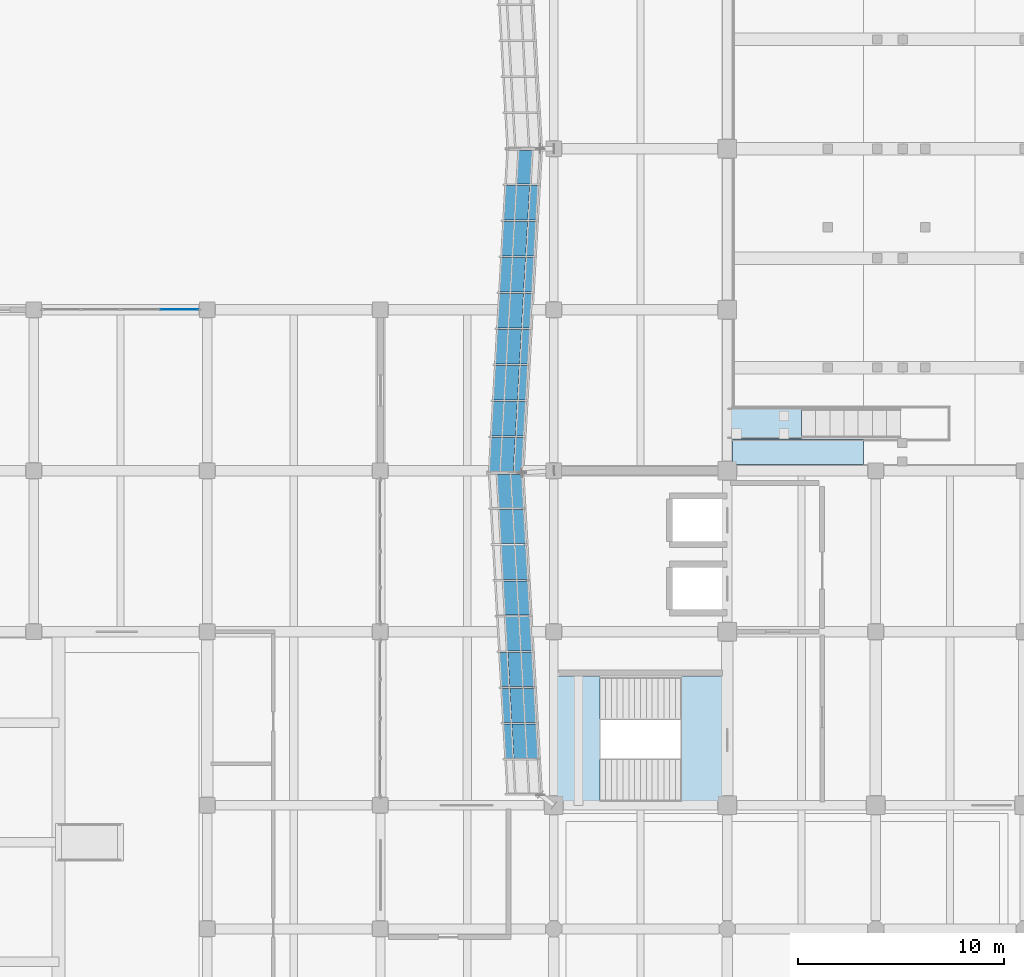
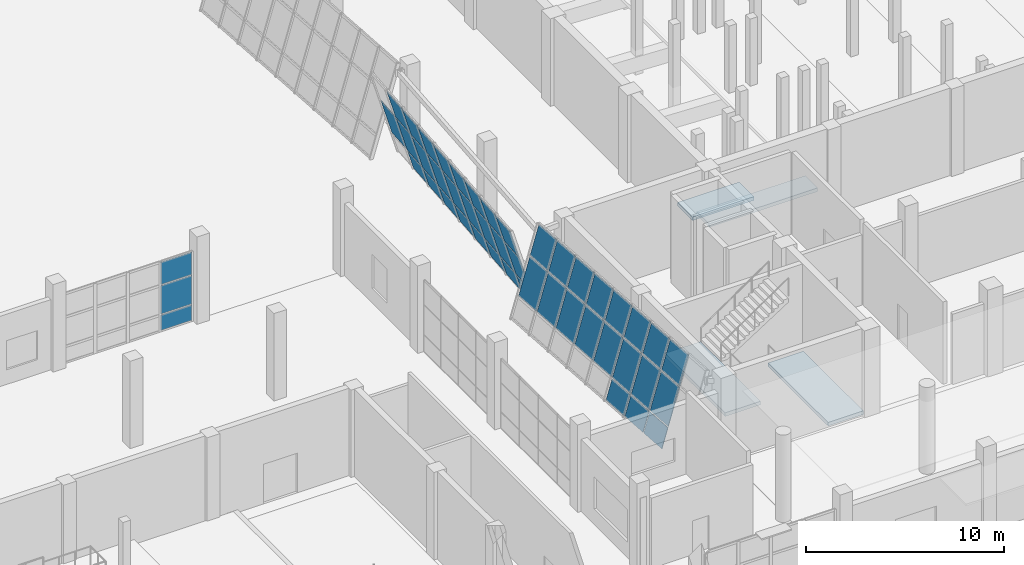
# One storey, part 48 of 78: 47 plates, 4 slabs, 4 elements without a shape of their own.
"""IFC4 building model written with IfcOpenShell, lengths in metres."""

import ifcopenshell
import ifcopenshell.guid

model = None  # the IFC model being written
_history = None  # IfcOwnerHistory: only IFC2X3 demands one
_inside = {}  # id of a spatial element -> (the spatial element, [elements in it])
_under = {}  # id of a project, library or spatial element -> (it, [spatial elements below it])
_declared = {}  # id of a project -> (the project, [libraries it declares])
_typed = {}  # id of a type object -> (the type object, [elements of that type])
_made_of = {}  # id of a material, layer set ... -> (it, [elements and type objects made of it])


def new_model(schema):
    """Start an empty IFC model of exactly this schema.

    Asked for "IFC4X3", IfcOpenShell would pick the latest addendum, in which some entities
    have other attributes; the version numbers below select the first issue.
    IFC2X3 requires an IfcOwnerHistory on every rooted entity: one is made here for all.
    """
    global model, _history
    if schema == "IFC4X3":
        model = ifcopenshell.file(schema_version=(4, 3, 0, 0))
    else:
        model = ifcopenshell.file(schema=schema)
    _inside.clear()
    _under.clear()
    _declared.clear()
    _typed.clear()
    _made_of.clear()
    _history = None
    if model.schema == "IFC2X3":
        org = make("IfcOrganization", Name="unknown")
        user = make(
            "IfcPersonAndOrganization",
            ThePerson=make("IfcPerson", FamilyName="unknown"),
            TheOrganization=org,
        )
        app = make(
            "IfcApplication",
            ApplicationDeveloper=org,
            Version="unknown",
            ApplicationFullName="unknown",
            ApplicationIdentifier="unknown",
        )
        _history = make(
            "IfcOwnerHistory",
            OwningUser=user,
            OwningApplication=app,
            ChangeAction="ADDED",
            CreationDate=0,
        )
    return model


def make(cls, **values):
    """One entity of the class cls with the attributes given. An attribute that is None is left unset."""
    return model.create_entity(
        cls, **{name: value for name, value in values.items() if value is not None}
    )


def rooted(cls, **values):
    """An entity with a GlobalId (a new one), such as an element, a storey or a relation."""
    return make(cls, GlobalId=ifcopenshell.guid.new(), OwnerHistory=_history, **values)


def si_unit(unit_type, name, prefix=None):
    """IfcSIUnit, for example si_unit("LENGTHUNIT", "METRE", prefix="MILLI")."""
    return make("IfcSIUnit", UnitType=unit_type, Prefix=prefix, Name=name)


def assignment(units):
    """IfcUnitAssignment: the units of a project."""
    return None if units is None else make("IfcUnitAssignment", Units=units)


def point(xyz):
    """IfcCartesianPoint."""
    return None if xyz is None else make("IfcCartesianPoint", Coordinates=xyz)


def direction(xyz):
    """IfcDirection."""
    return None if xyz is None else make("IfcDirection", DirectionRatios=xyz)


def frame(location, z_axis=None, x_axis=None):
    """IfcAxis2Placement3D, a coordinate frame: its origin and axes. An axis left out is left unset."""
    return make(
        "IfcAxis2Placement3D",
        Location=point(location),
        Axis=direction(z_axis),
        RefDirection=direction(x_axis),
    )


def origin():
    """The frame at (0, 0, 0) with its axes left unset."""
    return frame((0.0, 0.0, 0.0))


def place(relative_to, where):
    """IfcLocalPlacement: puts the frame where relative to a parent placement (None: the world)."""
    return make(
        "IfcLocalPlacement", PlacementRelTo=relative_to, RelativePlacement=where
    )


def context(
    kind, dimensions, precision=None, world=None, true_north=None, identifier=None
):
    """IfcGeometricRepresentationContext, for example the 3D "Model" context."""
    return make(
        "IfcGeometricRepresentationContext",
        ContextIdentifier=identifier,
        ContextType=kind,
        CoordinateSpaceDimension=dimensions,
        Precision=precision,
        WorldCoordinateSystem=world,
        TrueNorth=true_north,
    )


def subcontext(parent, identifier, kind, view, scale=None):
    """IfcGeometricRepresentationSubContext, for example "Body" below "Model"."""
    return make(
        "IfcGeometricRepresentationSubContext",
        ContextIdentifier=identifier,
        ContextType=kind,
        ParentContext=parent,
        TargetScale=scale,
        TargetView=view,
    )


def project(units=None, contexts=None):
    """IfcProject with its units and contexts."""
    return rooted(
        "IfcProject",
        Name="project",
        RepresentationContexts=contexts,
        UnitsInContext=assignment(units),
    )


def spatial(cls, under=None, at=None, **own):
    """A site, building, storey or space (cls), placed at a placement, below another one or the project."""
    s = rooted(cls, ObjectPlacement=at, **own)
    if under is not None:
        _under.setdefault(under.id(), (under, []))[1].append(s)
    return s


def polyline(points):
    """IfcPolyline through the points."""
    return make("IfcPolyline", Points=[point(p) for p in points])


def outline(outer, holes=None, kind="AREA"):
    """IfcArbitraryClosedProfileDef: a profile drawn as a closed curve; with holes, ...WithVoids."""
    if holes is None:
        return make("IfcArbitraryClosedProfileDef", ProfileType=kind, OuterCurve=outer)
    return make(
        "IfcArbitraryProfileDefWithVoids",
        ProfileType=kind,
        OuterCurve=outer,
        InnerCurves=holes,
    )


def extrude(swept, where, along, depth):
    """IfcExtrudedAreaSolid: the profile swept, set in the frame where, extruded along a direction by depth."""
    return make(
        "IfcExtrudedAreaSolid",
        SweptArea=swept,
        Position=where,
        ExtrudedDirection=direction(along),
        Depth=depth,
    )


def shape(context_of_items, identifier, shape_type, items):
    """IfcShapeRepresentation: the items that make up one representation, for example the "Body"."""
    return make(
        "IfcShapeRepresentation",
        ContextOfItems=context_of_items,
        RepresentationIdentifier=identifier,
        RepresentationType=shape_type,
        Items=items,
    )


def material(Name=None, Category=None):
    """IfcMaterial."""
    return make("IfcMaterial", Name=Name, Category=Category)


def layer(
    of_material, thickness, ventilated=None, Name=None, Category=None, Priority=None
):
    """IfcMaterialLayer: one layer of a wall or slab, of a material (None: an air gap)."""
    return make(
        "IfcMaterialLayer",
        Material=of_material,
        LayerThickness=thickness,
        IsVentilated=ventilated,
        Name=Name,
        Category=Category,
        Priority=Priority,
    )


def layer_set(layers, Name=None):
    """IfcMaterialLayerSet."""
    return make("IfcMaterialLayerSet", MaterialLayers=layers, LayerSetName=Name)


def made_of(thing, what):
    """Note that an element or type object is made of a material, layer set ...; save() writes the relation."""
    if what is not None:
        _made_of.setdefault(what.id(), (what, []))[1].append(thing)
    return thing


def type_object(cls, material=None, **own):
    """A type object (cls), such as IfcWallType, which elements share."""
    return made_of(rooted(cls, **own), material)


def element(
    cls,
    number,
    at=None,
    inside=None,
    cuts=None,
    type_object=None,
    material=None,
    context=None,
    identifier="Body",
    shape_type=None,
    held_by="IfcProductDefinitionShape",
    body=None,
    shapes=None,
    **own,
):
    """One element of the class cls, such as IfcWall. Its Tag is "e" and its number.

    at: its placement. inside: the storey or other place that contains it. cuts: it is an
    opening in that element (IfcRelVoidsElement). A single representation is given by context,
    identifier, shape_type and body (its items); several are given by shapes. held_by: the class
    of the entity that holds the representations. save() writes the other relations.
    """
    e = rooted(cls, Tag="e%d" % number, ObjectPlacement=at, **own)
    if body is not None:
        shapes = [shape(context, identifier, shape_type, body)]
    if shapes is not None:
        e.Representation = make(held_by, Representations=shapes)
    if inside is not None:
        _inside.setdefault(inside.id(), (inside, []))[1].append(e)
    if cuts is not None:
        rooted(
            "IfcRelVoidsElement", RelatingBuildingElement=cuts, RelatedOpeningElement=e
        )
    if type_object is not None:
        _typed.setdefault(type_object.id(), (type_object, []))[1].append(e)
    return made_of(e, material)


def aggregate(whole, parts):
    """IfcRelAggregates: a whole, such as a stair, and the parts it consists of."""
    return rooted("IfcRelAggregates", RelatingObject=whole, RelatedObjects=parts)


def save(model, path):
    """Write the relations noted so far, then the file.

    IfcRelAggregates (storeys below a building ...), IfcRelContainedInSpatialStructure (elements
    in a storey), IfcRelDefinesByType, IfcRelAssociatesMaterial and IfcRelDeclares: one each for
    every whole, place, type object, material and project.
    """
    for whole, parts in _under.values():
        aggregate(whole, parts)
    for where, things in _inside.values():
        rooted(
            "IfcRelContainedInSpatialStructure",
            RelatedElements=things,
            RelatingStructure=where,
        )
    for kind, things in _typed.values():
        rooted("IfcRelDefinesByType", RelatedObjects=things, RelatingType=kind)
    for what, things in _made_of.values():
        rooted("IfcRelAssociatesMaterial", RelatedObjects=things, RelatingMaterial=what)
    for by, libraries in _declared.values():
        rooted("IfcRelDeclares", RelatingContext=by, RelatedDefinitions=libraries)
    model.write(path)


model = new_model("IFC4")

# Units and contexts
model_context = context("Model", 3, precision=1e-05, world=origin(), true_north=direction((0.0, 1.0)))
body_context = subcontext(model_context, "Body", "Model", "MODEL_VIEW")
ifc_project = project(units=[si_unit("LENGTHUNIT", "METRE"), si_unit("AREAUNIT", "SQUARE_METRE"), si_unit("VOLUMEUNIT", "CUBIC_METRE"), si_unit("PLANEANGLEUNIT", "RADIAN"), si_unit("MASSUNIT", "GRAM", prefix="KILO")], contexts=[model_context])

# Site, building, storey
site_placement = place(None, origin())
site = spatial("IfcSite", under=ifc_project, at=site_placement, CompositionType="ELEMENT")
building_placement = place(site_placement, origin())
building = spatial("IfcBuilding", under=site, at=building_placement, Name="Pellamere Symphony Hall", CompositionType="ELEMENT")
storey_placement = place(building_placement, origin())
storey = spatial("IfcBuildingStorey", under=building, at=storey_placement, Name="L00", CompositionType="ELEMENT", Elevation=0.0)

# Curtain wall, plates
ifc_material_1 = material(Name="Thermally Broken Anodised Aluminium 6063-T6 Curtain Wall", Category="aluminium")
curtain_wall_type_1 = type_object("IfcCurtainWallType", Name="Curtain Wall CW-04 (Chamber Music Lobby Curtain Wall)", PredefinedType="NOTDEFINED", material=ifc_material_1)
curtain_wall_1_placement = place(storey_placement, origin())
curtain_wall_1 = element("IfcCurtainWall", 1, at=curtain_wall_1_placement, inside=storey, type_object=curtain_wall_type_1, Name="Chamber Garden North Curtain Wall (L00 Bay 2)", PredefinedType="NOTDEFINED")
ifc_material_2 = material(Name="Triple Low-E Argon Acoustic Glazing 36mm", Category="glass")
ifc_layer_1 = layer(ifc_material_2, 0.035888671875, Name="Triple Low-E Argon Acoustic Glazing 36mm")
ifc_layer_set_1 = layer_set([ifc_layer_1], Name="Triple Low-E Argon Acoustic Glazing 36mm")
plate_type_1 = type_object("IfcPlateType", Name="Facade Panel GL-01 36mm", PredefinedType="CURTAIN_PANEL", material=ifc_layer_set_1)
plate_1_placement = place(storey_placement, frame((31.344970703125, 54.0, 0.06494140625), z_axis=(0.0, -1.0, 0.0), x_axis=(1.0, 0.0, 0.0)))
plate_1 = element("IfcPlate", 2, at=plate_1_placement, type_object=plate_type_1, Name="CW4N-113 crystal glass panel 4.1", PredefinedType="CURTAIN_PANEL", context=body_context, shape_type="SweptSolid", body=[
    extrude(outline(polyline([(0.0, 0.0), (1.81494140625, 0.0), (1.81494140625, 0.944091796875), (0.0, 0.944091796875), (0.0, 0.0)])), origin(), (0.0, 0.0, -1.0), 0.035888671875),
])
plate_2_placement = place(storey_placement, frame((31.344970703125, 54.0, 1.07421875), z_axis=(0.0, -1.0, 0.0), x_axis=(1.0, 0.0, 0.0)))
plate_2 = element("IfcPlate", 3, at=plate_2_placement, type_object=plate_type_1, Name="CW4N-113 crystal glass panel 4.2", PredefinedType="CURTAIN_PANEL", context=body_context, shape_type="SweptSolid", body=[
    extrude(outline(polyline([(0.0, 0.0), (1.81494140625, 0.0), (1.81494140625, 1.757568359375), (0.0, 1.757568359375), (0.0, 0.0)])), origin(), (0.0, 0.0, -1.0), 0.035888671875),
])
plate_3_placement = place(storey_placement, frame((31.344970703125, 54.0, 2.89697265625), z_axis=(0.0, -1.0, 0.0), x_axis=(1.0, 0.0, 0.0)))
plate_3 = element("IfcPlate", 4, at=plate_3_placement, type_object=plate_type_1, Name="CW4N-113 crystal glass panel 4.3", PredefinedType="CURTAIN_PANEL", context=body_context, shape_type="SweptSolid", body=[
    extrude(outline(polyline([(0.0, 0.0), (1.81494140625, 0.0), (1.81494140625, 1.3779296875), (0.0, 1.3779296875), (0.0, 0.0)])), origin(), (0.0, 0.0, -1.0), 0.035888671875),
])
aggregate(curtain_wall_1, [plate_1, plate_2, plate_3])

curtain_wall_type_2 = type_object("IfcCurtainWallType", Name="Curtain Wall CW-01 (Tilted Faceted Crystal Low-Iron Curtain Wall)", PredefinedType="NOTDEFINED", material=ifc_material_1)
curtain_wall_2_placement = place(storey_placement, origin())
curtain_wall_2 = element("IfcCurtainWall", 5, at=curtain_wall_2_placement, inside=storey, type_object=curtain_wall_type_2, Name="Crystal Faceted Curtain Wall CW-CR17 (L00)", PredefinedType="NOTDEFINED")
ifc_material_3 = material(Name="Triple Laminated Acoustic Crystal Glazing 42mm", Category="glass")
ifc_layer_2 = layer(ifc_material_3, 0.0419921875, Name="Triple Laminated Acoustic Crystal Glazing 42mm")
ifc_layer_set_2 = layer_set([ifc_layer_2], Name="Triple Laminated Acoustic Crystal Glazing 42mm")
plate_type_2 = type_object("IfcPlateType", Name="Facade Panel GL-02 42mm", PredefinedType="CURTAIN_PANEL", material=ifc_layer_set_2)
plate_4_placement = place(storey_placement, frame((49.35107421875, 61.72509765625, 1.33203125), z_axis=(0.957389035424, -0.054851159397, 0.283544679307), x_axis=(-0.057198647566, -0.998362817175, 0.0)))
plate_4 = element("IfcPlate", 6, at=plate_4_placement, type_object=plate_type_2, Name="CW1-047 crystal glass panel 1.2", PredefinedType="CURTAIN_PANEL", context=body_context, shape_type="SweptSolid", body=[
    extrude(outline(polyline([(0.0, 0.0), (1.6347564733470132, 0.0), (1.6719579374865339, -2.2900299812549925), (0.03720146413952078, -2.2900299812549925), (0.0, 0.0)])), origin(), (0.0, 0.0, -1.0), 0.0419921875),
])
plate_5_placement = place(storey_placement, frame((49.62646484375, 60.01806640625, 0.072021484375), z_axis=(0.9573946098, -0.054884277134, 0.283519447744), x_axis=(-0.057232737422, -0.998360863499, 0.0)))
plate_5 = element("IfcPlate", 7, at=plate_5_placement, type_object=plate_type_2, Name="CW1-047 crystal glass panel 2.1", PredefinedType="CURTAIN_PANEL", context=body_context, shape_type="SweptSolid", body=[
    extrude(outline(polyline([(0.0, 0.0), (1.6721745160346768, 0.0), (1.6923093731208891, -1.2388214787875187), (0.020134857086212314, -1.2388214787875187), (0.0, 0.0)])), origin(), (0.0, 0.0, -1.0), 0.0419921875),
])
plate_6_placement = place(storey_placement, frame((49.25341796875, 60.01806640625, 1.33203125), z_axis=(0.957369184375, -0.054952823175, 0.283592016872), x_axis=(-0.057311350503, -0.998356353569, 1.9819754e-05)))
plate_6 = element("IfcPlate", 8, at=plate_6_placement, type_object=plate_type_2, Name="CW1-047 crystal glass panel 2.2", PredefinedType="CURTAIN_PANEL", context=body_context, shape_type="SweptSolid", body=[
    extrude(outline(polyline([(0.0, 0.0), (1.6721885025511356, 3.469446951953614e-18), (1.709506792695713, -2.290028077457525), (0.03733228217350899, -2.2900971997238124), (0.0, 0.0)])), origin(), (0.0, 0.0, -1.0), 0.0419921875),
])
plate_7_placement = place(storey_placement, frame((48.58154296875, 60.01806640625, 3.599853515625), z_axis=(0.957370744271, -0.054882909002, 0.283600289693), x_axis=(-0.057232737422, -0.998360863499, 0.0)))
plate_7 = element("IfcPlate", 9, at=plate_7_placement, type_object=plate_type_2, Name="CW1-047 crystal glass panel 2.3", PredefinedType="CURTAIN_PANEL", context=body_context, shape_type="SweptSolid", body=[
    extrude(outline(polyline([(0.0, 0.0), (1.6721745160346768, -3.469446951953614e-18), (1.7014755537236341, -1.8022679529612744), (0.029301037688957126, -1.8022679529612744), (0.0, 0.0)])), origin(), (0.0, 0.0, -1.0), 0.0419921875),
])
plate_8_placement = place(storey_placement, frame((49.526611328125, 58.273681640625, 0.072021484375), z_axis=(0.957341611004, -0.054873214141, 0.283700493849), x_axis=(-0.057224396245, -0.998361341637, 0.0)))
plate_8 = element("IfcPlate", 10, at=plate_8_placement, type_object=plate_type_2, Name="CW1-047 crystal glass panel 3.1", PredefinedType="CURTAIN_PANEL", context=body_context, shape_type="SweptSolid", body=[
    extrude(outline(polyline([(0.0, 0.0), (1.6724182565382377, 0.0), (1.6925641499429516, -1.2388906537483406), (0.020145893404713663, -1.2388906537483406), (0.0, 0.0)])), origin(), (0.0, 0.0, -1.0), 0.0419921875),
])
plate_9_placement = place(storey_placement, frame((49.1533203125, 58.273681640625, 1.33203125), z_axis=(0.957358836902, -0.054874201501, 0.283642167909), x_axis=(-0.057224396245, -0.998361341637, 0.0)))
plate_9 = element("IfcPlate", 11, at=plate_9_placement, type_object=plate_type_2, Name="CW1-047 crystal glass panel 3.2", PredefinedType="CURTAIN_PANEL", context=body_context, shape_type="SweptSolid", body=[
    extrude(outline(polyline([(0.0, 0.0), (1.6724182565382377, 0.0), (1.7096504381773239, -2.2900988323177818), (0.03723218163908593, -2.2900988323177818), (0.0, 0.0)])), origin(), (0.0, 0.0, -1.0), 0.0419921875),
])
plate_10_placement = place(storey_placement, frame((48.4814453125, 58.273681640625, 3.599853515625), z_axis=(0.9573711659, -0.054874908178, 0.283600414591), x_axis=(-0.057224396245, -0.998361341637, 0.0)))
plate_10 = element("IfcPlate", 12, at=plate_10_placement, type_object=plate_type_2, Name="CW1-047 crystal glass panel 3.3", PredefinedType="CURTAIN_PANEL", context=body_context, shape_type="SweptSolid", body=[
    extrude(outline(polyline([(0.0, 0.0), (1.6724182565382377, 0.0), (1.7017150238542464, -1.8022680223833807), (0.029296767316008707, -1.8022680223833807), (0.0, 0.0)])), origin(), (0.0, 0.0, -1.0), 0.0419921875),
])
plate_11_placement = place(storey_placement, frame((49.426513671875, 56.529296875, 0.072021484375), z_axis=(0.957395031461, -0.054876276112, 0.283519572613), x_axis=(-0.057224396245, -0.998361341637, 0.0)))
plate_11 = element("IfcPlate", 13, at=plate_11_placement, type_object=plate_type_2, Name="CW1-047 crystal glass panel 4.1", PredefinedType="CURTAIN_PANEL", context=body_context, shape_type="SweptSolid", body=[
    extrude(outline(polyline([(0.0, 0.0), (1.6724182565382377, 3.469446951953614e-18), (1.692550179143087, -1.238821526478859), (0.02013192260484909, -1.238821526478859), (0.0, 0.0)])), origin(), (0.0, 0.0, -1.0), 0.0419921875),
])
plate_12_placement = place(storey_placement, frame((49.05322265625, 56.529296875, 1.33203125), z_axis=(0.957387734204, -0.054875857846, 0.283544293932), x_axis=(-0.057224396245, -0.998361341637, 0.0)))
plate_12 = element("IfcPlate", 14, at=plate_12_placement, type_object=plate_type_2, Name="CW1-047 crystal glass panel 4.2", PredefinedType="CURTAIN_PANEL", context=body_context, shape_type="SweptSolid", body=[
    extrude(outline(polyline([(0.0, 0.0), (1.6724182565382377, 0.0), (1.7096364673774591, -2.2900297091441395), (0.03721821083922136, -2.2900297091441395), (0.0, 0.0)])), origin(), (0.0, 0.0, -1.0), 0.0419921875),
])
plate_13_placement = place(storey_placement, frame((48.38134765625, 56.529296875, 3.599853515625), z_axis=(0.957407878661, -0.054877012492, 0.283476043745), x_axis=(-0.057224396245, -0.998361341637, 0.0)))
plate_13 = element("IfcPlate", 15, at=plate_13_placement, type_object=plate_type_2, Name="CW1-047 crystal glass panel 4.3", PredefinedType="CURTAIN_PANEL", context=body_context, shape_type="SweptSolid", body=[
    extrude(outline(polyline([(0.0, 0.0), (1.6724182565382377, 0.0), (1.701701053054382, -1.8021989126157862), (0.029282796516144134, -1.8021989126157862), (0.0, 0.0)])), origin(), (0.0, 0.0, -1.0), 0.0419921875),
])
plate_14_placement = place(storey_placement, frame((49.32666015625, 54.78466796875, 0.072021484375), z_axis=(0.957341189414, -0.054881214719, 0.283700368914), x_axis=(-0.057232737422, -0.998360863499, 0.0)))
plate_14 = element("IfcPlate", 16, at=plate_14_placement, type_object=plate_type_2, Name="CW1-047 crystal glass panel 5.1", PredefinedType="CURTAIN_PANEL", context=body_context, shape_type="SweptSolid", body=[
    extrude(outline(polyline([(0.0, 0.0), (1.6721745160346768, 0.0), (1.6923233459571738, -1.2388906059934504), (0.020148829922496985, -1.2388906059934504), (0.0, 0.0)])), origin(), (0.0, 0.0, -1.0), 0.0419921875),
])
plate_15_placement = place(storey_placement, frame((48.953369140625, 54.78466796875, 1.33203125), z_axis=(0.957358415289, -0.054882202222, 0.283642042996), x_axis=(-0.057232737422, -0.998360863499, 0.0)))
plate_15 = element("IfcPlate", 17, at=plate_15_placement, type_object=plate_type_2, Name="CW1-047 crystal glass panel 5.2", PredefinedType="CURTAIN_PANEL", context=body_context, shape_type="SweptSolid", body=[
    extrude(outline(polyline([(0.0, 0.0), (1.6721745160346768, 0.0), (1.7094121247333276, -2.2900987440787963), (0.03723760869865081, -2.2900987440787963), (0.0, 0.0)])), origin(), (0.0, 0.0, -1.0), 0.0419921875),
])
plate_16_placement = place(storey_placement, frame((48.281494140625, 54.78466796875, 3.599853515625), z_axis=(0.957370744271, -0.054882909002, 0.283600289693), x_axis=(-0.057232737422, -0.998360863499, 0.0)))
plate_16 = element("IfcPlate", 18, at=plate_16_placement, type_object=plate_type_2, Name="CW1-047 crystal glass panel 5.3", PredefinedType="CURTAIN_PANEL", context=body_context, shape_type="SweptSolid", body=[
    extrude(outline(polyline([(0.0, 0.0), (1.6721745160346768, -3.469446951953614e-18), (1.7014755537236341, -1.8022679529612744), (0.029301037688957126, -1.8022679529612744), (0.0, 0.0)])), origin(), (0.0, 0.0, -1.0), 0.0419921875),
])
plate_17_placement = place(storey_placement, frame((49.2265625, 53.040283203125, 0.072021484375), z_axis=(0.957341189414, -0.054881214719, 0.283700368914), x_axis=(-0.057232737422, -0.998360863499, 0.0)))
plate_17 = element("IfcPlate", 19, at=plate_17_placement, type_object=plate_type_2, Name="CW1-047 crystal glass panel 6.1", PredefinedType="CURTAIN_PANEL", context=body_context, shape_type="SweptSolid", body=[
    extrude(outline(polyline([(0.0, 0.0), (1.6721745160346768, 0.0), (1.6923233459571738, -1.2388906059934504), (0.020148829922496985, -1.2388906059934504), (0.0, 0.0)])), origin(), (0.0, 0.0, -1.0), 0.0419921875),
])
plate_18_placement = place(storey_placement, frame((48.853271484375, 53.040283203125, 1.33203125), z_axis=(0.957387312553, -0.054883858807, 0.283544169054), x_axis=(-0.057232737422, -0.998360863499, 0.0)))
plate_18 = element("IfcPlate", 20, at=plate_18_placement, type_object=plate_type_2, Name="CW1-047 crystal glass panel 6.2", PredefinedType="CURTAIN_PANEL", context=body_context, shape_type="SweptSolid", body=[
    extrude(outline(polyline([(0.0, 0.0), (1.6721745160346768, -3.469446951953614e-18), (1.7093981518970431, -2.2900296209687006), (0.037223635862366135, -2.2900296209687006), (0.0, 0.0)])), origin(), (0.0, 0.0, -1.0), 0.0419921875),
])
plate_19_placement = place(storey_placement, frame((48.181396484375, 53.040283203125, 3.599853515625), z_axis=(0.957370744271, -0.054882909002, 0.283600289693), x_axis=(-0.057232737422, -0.998360863499, 0.0)))
plate_19 = element("IfcPlate", 21, at=plate_19_placement, type_object=plate_type_2, Name="CW1-047 crystal glass panel 6.3", PredefinedType="CURTAIN_PANEL", context=body_context, shape_type="SweptSolid", body=[
    extrude(outline(polyline([(0.0, 0.0), (1.6721745160346768, -3.469446951953614e-18), (1.7014755537236341, -1.8022679529612744), (0.029301037688957126, -1.8022679529612744), (0.0, 0.0)])), origin(), (0.0, 0.0, -1.0), 0.0419921875),
])
plate_20_placement = place(storey_placement, frame((49.12646484375, 51.2958984375, 0.072021484375), z_axis=(0.957395031461, -0.054876276112, 0.283519572613), x_axis=(-0.057224396245, -0.998361341637, 0.0)))
plate_20 = element("IfcPlate", 22, at=plate_20_placement, type_object=plate_type_2, Name="CW1-047 crystal glass panel 7.1", PredefinedType="CURTAIN_PANEL", context=body_context, shape_type="SweptSolid", body=[
    extrude(outline(polyline([(0.0, 0.0), (1.6724182565382377, 3.469446951953614e-18), (1.692550179143087, -1.238821526478859), (0.02013192260484909, -1.238821526478859), (0.0, 0.0)])), origin(), (0.0, 0.0, -1.0), 0.0419921875),
])
plate_21_placement = place(storey_placement, frame((48.75341796875, 51.2958984375, 1.33203125), z_axis=(0.957369607078, -0.054944812221, 0.283592142086), x_axis=(-0.05730299795, -0.998356833018, 1.9816883e-05)))
plate_21 = element("IfcPlate", 23, at=plate_21_placement, type_object=plate_type_2, Name="CW1-047 crystal glass panel 7.2", PredefinedType="CURTAIN_PANEL", context=body_context, shape_type="SweptSolid", body=[
    extrude(outline(polyline([(0.0, 0.0), (1.672432241016296, 1.0408340855860843e-17), (1.709745092433655, -2.2900281660805426), (0.03732684140709298, -2.2900972884106223), (0.0, 0.0)])), origin(), (0.0, 0.0, -1.0), 0.0419921875),
])
plate_22_placement = place(storey_placement, frame((48.08154296875, 51.2958984375, 3.599853515625), z_axis=(0.9573711659, -0.054874908178, 0.283600414591), x_axis=(-0.057224396245, -0.998361341637, 0.0)))
plate_22 = element("IfcPlate", 24, at=plate_22_placement, type_object=plate_type_2, Name="CW1-047 crystal glass panel 7.3", PredefinedType="CURTAIN_PANEL", context=body_context, shape_type="SweptSolid", body=[
    extrude(outline(polyline([(0.0, 0.0), (1.6724182565382377, 0.0), (1.7017150238542464, -1.8022680223833807), (0.029296767316008707, -1.8022680223833807), (0.0, 0.0)])), origin(), (0.0, 0.0, -1.0), 0.0419921875),
])
plate_23_placement = place(storey_placement, frame((49.026611328125, 49.551513671875, 0.072021484375), z_axis=(0.957341611004, -0.054873214141, 0.283700493849), x_axis=(-0.057224396245, -0.998361341637, 0.0)))
plate_23 = element("IfcPlate", 25, at=plate_23_placement, type_object=plate_type_2, Name="CW1-047 crystal glass panel 8.1", PredefinedType="CURTAIN_PANEL", context=body_context, shape_type="SweptSolid", body=[
    extrude(outline(polyline([(0.0, 0.0), (1.6724182565382377, 0.0), (1.6925641499429516, -1.2388906537483406), (0.020145893404713663, -1.2388906537483406), (0.0, 0.0)])), origin(), (0.0, 0.0, -1.0), 0.0419921875),
])
plate_24_placement = place(storey_placement, frame((48.6533203125, 49.551513671875, 1.33203125), z_axis=(0.957358836902, -0.054874201501, 0.283642167909), x_axis=(-0.057224396245, -0.998361341637, 0.0)))
plate_24 = element("IfcPlate", 26, at=plate_24_placement, type_object=plate_type_2, Name="CW1-047 crystal glass panel 8.2", PredefinedType="CURTAIN_PANEL", context=body_context, shape_type="SweptSolid", body=[
    extrude(outline(polyline([(0.0, 0.0), (1.6724182565382377, 0.0), (1.7096504381773239, -2.2900988323177818), (0.03723218163908593, -2.2900988323177818), (0.0, 0.0)])), origin(), (0.0, 0.0, -1.0), 0.0419921875),
])
plate_25_placement = place(storey_placement, frame((47.9814453125, 49.551513671875, 3.599853515625), z_axis=(0.9573711659, -0.054874908178, 0.283600414591), x_axis=(-0.057224396245, -0.998361341637, 0.0)))
plate_25 = element("IfcPlate", 27, at=plate_25_placement, type_object=plate_type_2, Name="CW1-047 crystal glass panel 8.3", PredefinedType="CURTAIN_PANEL", context=body_context, shape_type="SweptSolid", body=[
    extrude(outline(polyline([(0.0, 0.0), (1.6724182565382377, 0.0), (1.7017150238542464, -1.8022680223833807), (0.029296767316008707, -1.8022680223833807), (0.0, 0.0)])), origin(), (0.0, 0.0, -1.0), 0.0419921875),
])
plate_26_placement = place(storey_placement, frame((48.926513671875, 47.806884765625, 0.072021484375), z_axis=(0.957365863308, -0.054921437334, 0.283609307842), x_axis=(-0.057267088164, -0.998358893486, -2.0274745e-05)))
plate_26 = element("IfcPlate", 28, at=plate_26_placement, type_object=plate_type_2, Name="CW1-047 crystal glass panel 9.1", PredefinedType="CURTAIN_PANEL", context=body_context, shape_type="SweptSolid", body=[
    extrude(outline(polyline([(0.0, 0.0), (1.6347564691697394, 3.469446951953614e-18), (1.65489330613775, -1.2388907954720376), (0.020122855745314368, -1.2388216682776338), (0.0, 0.0)])), origin(), (0.0, 0.0, -1.0), 0.0419921875),
])
plate_27_placement = place(storey_placement, frame((48.55322265625, 47.806884765625, 1.33203125), z_axis=(0.957389035424, -0.054851159397, 0.283544679307), x_axis=(-0.057198647566, -0.998362817175, 0.0)))
plate_27 = element("IfcPlate", 29, at=plate_27_placement, type_object=plate_type_2, Name="CW1-047 crystal glass panel 9.2", PredefinedType="CURTAIN_PANEL", context=body_context, shape_type="SweptSolid", body=[
    extrude(outline(polyline([(0.0, 0.0), (1.6347564733470132, 0.0), (1.6719579374865339, -2.2900299812549925), (0.03720146413952078, -2.2900299812549925), (0.0, 0.0)])), origin(), (0.0, 0.0, -1.0), 0.0419921875),
])
plate_28_placement = place(storey_placement, frame((47.88134765625, 47.806884765625, 3.599853515625), z_axis=(0.957387062339, -0.054922653464, 0.283537501934), x_axis=(-0.057267091195, -0.998358893312, -2.0270061e-05)))
plate_28 = element("IfcPlate", 30, at=plate_28_placement, type_object=plate_type_2, Name="CW1-047 crystal glass panel 9.3", PredefinedType="CURTAIN_PANEL", context=body_context, shape_type="SweptSolid", body=[
    extrude(outline(polyline([(0.0, 0.0), (1.6347564691695544, 0.0), (1.6640400625469665, -1.80226823269499), (0.029269612153975732, -1.8021991230026244), (0.0, 0.0)])), origin(), (0.0, 0.0, -1.0), 0.0419921875),
])
aggregate(curtain_wall_2, [plate_4, plate_5, plate_6, plate_7, plate_8, plate_9, plate_10, plate_11, plate_12, plate_13, plate_14, plate_15, plate_16, plate_17, plate_18, plate_19, plate_20, plate_21, plate_22, plate_23, plate_24, plate_25, plate_26, plate_27, plate_28])

curtain_wall_3_placement = place(storey_placement, origin())
curtain_wall_3 = element("IfcCurtainWall", 31, at=curtain_wall_3_placement, inside=storey, type_object=curtain_wall_type_2, Name="Crystal Faceted Curtain Wall CW-CR18 (L00)", PredefinedType="NOTDEFINED")
plate_29_placement = place(storey_placement, frame((47.649169921875, 46.025146484375, 1.33203125), z_axis=(-0.95734055312, -0.055220095157, 0.283636750869), x_axis=(0.057585007883, -0.99834060664, 0.0)))
plate_29 = element("IfcPlate", 32, at=plate_29_placement, type_object=plate_type_2, Name="CW1-052 crystal glass panel 1.2", PredefinedType="CURTAIN_PANEL", context=body_context, shape_type="SweptSolid", body=[
    extrude(outline(polyline([(0.0, 0.0), (1.6237882534451713, -3.469446951953614e-18), (1.6612550615526556, 2.2900950057635407), (0.03746680810748432, 2.2900950057635407), (0.0, 0.0)])), origin(), (0.0, 0.0, -1.0), 0.0419921875),
])
plate_30_placement = place(storey_placement, frame((48.321044921875, 46.025146484375, 3.599853515625), z_axis=(-0.957352881411, -0.055220806262, 0.283594998209), x_axis=(0.057585007883, -0.99834060664, 0.0)))
plate_30 = element("IfcPlate", 33, at=plate_30_placement, type_object=plate_type_2, Name="CW1-052 crystal glass panel 1.3", PredefinedType="CURTAIN_PANEL", context=body_context, shape_type="SweptSolid", body=[
    extrude(outline(polyline([(0.0, 0.0), (1.6237882534451713, 0.0), (1.653269640537627, 1.8022650118381531), (0.029481387092455767, 1.8022650118381531), (0.0, 0.0)])), origin(), (0.0, 0.0, -1.0), 0.0419921875),
])
plate_31_placement = place(storey_placement, frame((47.7470703125, 44.329345703125, 1.33203125), z_axis=(-0.957339680188, -0.055236554995, 0.28363649224), x_axis=(0.057602168051, -0.998339616682, 0.0)))
plate_31 = element("IfcPlate", 34, at=plate_31_placement, type_object=plate_type_2, Name="CW1-052 crystal glass panel 2.2", PredefinedType="CURTAIN_PANEL", context=body_context, shape_type="SweptSolid", body=[
    extrude(outline(polyline([(0.0, 0.0), (1.6614500501978287, 3.469446951953614e-18), (1.6989280233072466, 2.290094823072722), (0.0374779731094178, 2.290094823072722), (0.0, 0.0)])), origin(), (0.0, 0.0, -1.0), 0.0419921875),
])
plate_32_placement = place(storey_placement, frame((48.4189453125, 44.329345703125, 3.599853515625), z_axis=(-0.957352008446, -0.05523726631, 0.283594739612), x_axis=(0.057602168051, -0.998339616682, 0.0)))
plate_32 = element("IfcPlate", 35, at=plate_32_placement, type_object=plate_type_2, Name="CW1-052 crystal glass panel 2.3", PredefinedType="CURTAIN_PANEL", context=body_context, shape_type="SweptSolid", body=[
    extrude(outline(polyline([(0.0, 0.0), (1.6614500501978287, 0.0), (1.6909402226595358, 1.8022648681059756), (0.029490172461706987, 1.8022648681059756), (0.0, 0.0)])), origin(), (0.0, 0.0, -1.0), 0.0419921875),
])
plate_33_placement = place(storey_placement, frame((47.84716796875, 42.595947265625, 1.33203125), z_axis=(-0.957368145696, -0.055246329032, 0.283538492511), x_axis=(0.057610619545, -0.998339129012, 0.0)))
plate_33 = element("IfcPlate", 36, at=plate_33_placement, type_object=plate_type_2, Name="CW1-052 crystal glass panel 3.2", PredefinedType="CURTAIN_PANEL", context=body_context, shape_type="SweptSolid", body=[
    extrude(outline(polyline([(0.0, 0.0), (1.6612063149993754, -3.469446951953614e-18), (1.6986757218522062, 2.2900256128547913), (0.03746940685283063, 2.2900256128547913), (0.0, 0.0)])), origin(), (0.0, 0.0, -1.0), 0.0419921875),
])
plate_34_placement = place(storey_placement, frame((48.51904296875, 42.595947265625, 3.599853515625), z_axis=(-0.957388288917, -0.055247491426, 0.283470243476), x_axis=(0.057610619545, -0.998339129012, 0.0)))
plate_34 = element("IfcPlate", 37, at=plate_34_placement, type_object=plate_type_2, Name="CW1-052 crystal glass panel 3.3", PredefinedType="CURTAIN_PANEL", context=body_context, shape_type="SweptSolid", body=[
    extrude(outline(polyline([(0.0, 0.0), (1.6612063149993754, -6.938893903907228e-18), (1.690686749219921, 1.8021956904852192), (0.02948043422054542, 1.8021956904852192), (0.0, 0.0)])), origin(), (0.0, 0.0, -1.0), 0.0419921875),
])
plate_35_placement = place(storey_placement, frame((47.947021484375, 40.862548828125, 1.33203125), z_axis=(-0.957339250167, -0.055244661573, 0.283636364836), x_axis=(0.057610619545, -0.998339129012, 0.0)))
plate_35 = element("IfcPlate", 38, at=plate_35_placement, type_object=plate_type_2, Name="CW1-052 crystal glass panel 4.2", PredefinedType="CURTAIN_PANEL", context=body_context, shape_type="SweptSolid", body=[
    extrude(outline(polyline([(0.0, 0.0), (1.6612063149993754, 3.469446951953614e-18), (1.6986897869448687, 2.2900947330762946), (0.037483471945493105, 2.2900947330762946), (0.0, 0.0)])), origin(), (0.0, 0.0, -1.0), 0.0419921875),
])
plate_36_placement = place(storey_placement, frame((48.618896484375, 40.862548828125, 3.599853515625), z_axis=(-0.957351578409, -0.055245372992, 0.283594612222), x_axis=(0.057610619545, -0.998339129012, 0.0)))
plate_36 = element("IfcPlate", 39, at=plate_36_placement, type_object=plate_type_2, Name="CW1-052 crystal glass panel 4.3", PredefinedType="CURTAIN_PANEL", context=body_context, shape_type="SweptSolid", body=[
    extrude(outline(polyline([(0.0, 0.0), (1.6612063149993754, -3.469446951953614e-18), (1.6907008143125835, 1.8022647973011996), (0.029494499313207894, 1.8022647973011996), (0.0, 0.0)])), origin(), (0.0, 0.0, -1.0), 0.0419921875),
])
plate_37_placement = place(storey_placement, frame((48.047119140625, 39.129150390625, 1.33203125), z_axis=(-0.957357423525, -0.055175243826, 0.283588533072), x_axis=(0.057543270137, -0.998343013029, 1.9950292e-05)))
plate_37 = element("IfcPlate", 40, at=plate_37_placement, type_object=plate_type_2, Name="CW1-052 crystal glass panel 5.2", PredefinedType="CURTAIN_PANEL", context=body_context, shape_type="SweptSolid", body=[
    extrude(outline(polyline([(0.0, 0.0), (1.6612063108886852, 6.938893903907228e-18), (1.6986757260556153, 2.2900256097368223), (0.03748346381686605, 2.2900947302274974), (0.0, 0.0)])), origin(), (0.0, 0.0, -1.0), 0.0419921875),
])
plate_38_placement = place(storey_placement, frame((48.718994140625, 39.129150390625, 3.599853515625), z_axis=(-0.957351578409, -0.055245372992, 0.283594612222), x_axis=(0.057610619545, -0.998339129012, 0.0)))
plate_38 = element("IfcPlate", 41, at=plate_38_placement, type_object=plate_type_2, Name="CW1-052 crystal glass panel 5.3", PredefinedType="CURTAIN_PANEL", context=body_context, shape_type="SweptSolid", body=[
    extrude(outline(polyline([(0.0, 0.0), (1.6612063149993754, -3.469446951953614e-18), (1.6907008143125835, 1.8022647973011996), (0.029494499313207894, 1.8022647973011996), (0.0, 0.0)])), origin(), (0.0, 0.0, -1.0), 0.0419921875),
])
plate_39_placement = place(storey_placement, frame((47.77392578125, 37.39599609375, 0.072021484375), z_axis=(-0.957375442505, -0.055246750105, 0.283513771609), x_axis=(0.057610619545, -0.998339129012, 0.0)))
plate_39 = element("IfcPlate", 42, at=plate_39_placement, type_object=plate_type_2, Name="CW1-052 crystal glass panel 6.1", PredefinedType="CURTAIN_PANEL", context=body_context, shape_type="SweptSolid", body=[
    extrude(outline(polyline([(0.0, 0.0), (1.6612063149993754, 0.0), (1.6814741135260005, 1.238819310923938), (0.020267798526624976, 1.238819310923938), (0.0, 0.0)])), origin(), (0.0, 0.0, -1.0), 0.0419921875),
])
plate_40_placement = place(storey_placement, frame((48.147216796875, 37.39599609375, 1.33203125), z_axis=(-0.957357423525, -0.055175243826, 0.283588533072), x_axis=(0.05753148986, -0.99834369196, -1.9950461e-05)))
plate_40 = element("IfcPlate", 43, at=plate_40_placement, type_object=plate_type_2, Name="CW1-052 crystal glass panel 6.2", PredefinedType="CURTAIN_PANEL", context=body_context, shape_type="SweptSolid", body=[
    extrude(outline(polyline([(0.0, 0.0), (1.6611922636767658, 3.469446951953614e-18), (1.6985804389898211, 2.2900962878932027), (0.03737412953916368, 2.2900271668180374), (0.0, 0.0)])), origin(), (0.0, 0.0, -1.0), 0.0419921875),
])
plate_41_placement = place(storey_placement, frame((48.81884765625, 37.39599609375, 3.599853515625), z_axis=(-0.957351578409, -0.055245372992, 0.283594612222), x_axis=(0.057610619545, -0.998339129012, 0.0)))
plate_41 = element("IfcPlate", 44, at=plate_41_placement, type_object=plate_type_2, Name="CW1-052 crystal glass panel 6.3", PredefinedType="CURTAIN_PANEL", context=body_context, shape_type="SweptSolid", body=[
    extrude(outline(polyline([(0.0, 0.0), (1.6612063149993754, -3.469446951953614e-18), (1.6907008143125835, 1.8022647973011996), (0.029494499313207894, 1.8022647973011996), (0.0, 0.0)])), origin(), (0.0, 0.0, -1.0), 0.0419921875),
])
plate_42_placement = place(storey_placement, frame((47.873779296875, 35.66259765625, 0.072021484375), z_axis=(-0.957322025327, -0.055243667588, 0.283694689791), x_axis=(0.057610619545, -0.998339129012, 0.0)))
plate_42 = element("IfcPlate", 45, at=plate_42_placement, type_object=plate_type_2, Name="CW1-052 crystal glass panel 7.1", PredefinedType="CURTAIN_PANEL", context=body_context, shape_type="SweptSolid", body=[
    extrude(outline(polyline([(0.0, 0.0), (1.6612063149993754, 0.0), (1.681488178618663, 1.238888435241121), (0.02028186361928745, 1.238888435241121), (0.0, 0.0)])), origin(), (0.0, 0.0, -1.0), 0.0419921875),
])
plate_43_placement = place(storey_placement, frame((48.2470703125, 35.66259765625, 1.33203125), z_axis=(-0.957339250167, -0.055244661573, 0.283636364836), x_axis=(0.057610619545, -0.998339129012, 0.0)))
plate_43 = element("IfcPlate", 46, at=plate_43_placement, type_object=plate_type_2, Name="CW1-052 crystal glass panel 7.2", PredefinedType="CURTAIN_PANEL", context=body_context, shape_type="SweptSolid", body=[
    extrude(outline(polyline([(0.0, 0.0), (1.6612063149993754, 3.469446951953614e-18), (1.6986897869448687, 2.2900947330762946), (0.037483471945493105, 2.2900947330762946), (0.0, 0.0)])), origin(), (0.0, 0.0, -1.0), 0.0419921875),
])
plate_44_placement = place(storey_placement, frame((48.9189453125, 35.66259765625, 3.599853515625), z_axis=(-0.957351578409, -0.055245372992, 0.283594612222), x_axis=(0.057610619545, -0.998339129012, 0.0)))
plate_44 = element("IfcPlate", 47, at=plate_44_placement, type_object=plate_type_2, Name="CW1-052 crystal glass panel 7.3", PredefinedType="CURTAIN_PANEL", context=body_context, shape_type="SweptSolid", body=[
    extrude(outline(polyline([(0.0, 0.0), (1.6612063149993754, -3.469446951953614e-18), (1.6907008143125835, 1.8022647973011996), (0.029494499313207894, 1.8022647973011996), (0.0, 0.0)])), origin(), (0.0, 0.0, -1.0), 0.0419921875),
])
plate_45_placement = place(storey_placement, frame((47.973876953125, 33.92919921875, 0.072021484375), z_axis=(-0.957352461937, -0.055174957876, 0.28360533783), x_axis=(0.057543270835, -0.998343012989, 1.9951371e-05)))
plate_45 = element("IfcPlate", 48, at=plate_45_placement, type_object=plate_type_2, Name="CW1-052 crystal glass panel 8.1", PredefinedType="CURTAIN_PANEL", context=body_context, shape_type="SweptSolid", body=[
    extrude(outline(polyline([(0.0, 0.0), (1.661206310888728, 0.0), (1.681474117686801, 1.2388193052764012), (0.020281855448179353, 1.2388884298629863), (0.0, 0.0)])), origin(), (0.0, 0.0, -1.0), 0.0419921875),
])
plate_46_placement = place(storey_placement, frame((48.34716796875, 33.92919921875, 1.33203125), z_axis=(-0.957368145696, -0.055246329032, 0.283538492511), x_axis=(0.057610619545, -0.998339129012, 0.0)))
plate_46 = element("IfcPlate", 49, at=plate_46_placement, type_object=plate_type_2, Name="CW1-052 crystal glass panel 8.2", PredefinedType="CURTAIN_PANEL", context=body_context, shape_type="SweptSolid", body=[
    extrude(outline(polyline([(0.0, 0.0), (1.6612063149993754, -3.469446951953614e-18), (1.6986757218522062, 2.2900256128547913), (0.03746940685283063, 2.2900256128547913), (0.0, 0.0)])), origin(), (0.0, 0.0, -1.0), 0.0419921875),
])
plate_47_placement = place(storey_placement, frame((49.01904296875, 33.92919921875, 3.599853515625), z_axis=(-0.957388288917, -0.055247491426, 0.283470243476), x_axis=(0.057610619545, -0.998339129012, 0.0)))
plate_47 = element("IfcPlate", 50, at=plate_47_placement, type_object=plate_type_2, Name="CW1-052 crystal glass panel 8.3", PredefinedType="CURTAIN_PANEL", context=body_context, shape_type="SweptSolid", body=[
    extrude(outline(polyline([(0.0, 0.0), (1.6612063149993754, -6.938893903907228e-18), (1.690686749219921, 1.8021956904852192), (0.02948043422054542, 1.8021956904852192), (0.0, 0.0)])), origin(), (0.0, 0.0, -1.0), 0.0419921875),
])
aggregate(curtain_wall_3, [plate_29, plate_30, plate_31, plate_32, plate_33, plate_34, plate_35, plate_36, plate_37, plate_38, plate_39, plate_40, plate_41, plate_42, plate_43, plate_44, plate_45, plate_46, plate_47])

# Stair, slabs
ifc_material_4 = material(Name="Concrete 40 MPa", Category="concrete")
stair_type = type_object("IfcStairType", Name="Stair ST-B W2050", PredefinedType="HALF_TURN_STAIR", material=ifc_material_4)
stair_placement = place(storey_placement, origin())
stair = element("IfcStair", 51, at=stair_placement, inside=storey, type_object=stair_type, Name="Exit Stair ST01-L00 (L00 to L01)", PredefinedType="HALF_TURN_STAIR")
ifc_layer_3 = layer(ifc_material_4, 0.219970703125, Name="Concrete 40 MPa")
ifc_layer_set_3 = layer_set([ifc_layer_3], Name="Concrete 40 MPa")
slab_type_1 = type_object("IfcSlabType", Name="Stair Landing SL-01 220mm", PredefinedType="LANDING", material=ifc_layer_set_3)
slab_1_placement = place(storey_placement, frame((0.0, 0.0, -0.219970703125)))
slab_1 = element("IfcSlab", 52, at=slab_1_placement, type_object=slab_type_1, Name="Stair ST01-L00 Bottom Landing (L00)", PredefinedType="LANDING", context=body_context, shape_type="SweptSolid", body=[
    extrude(outline(polyline([(56.574951171875, 30.159912109375), (58.639892578125, 30.159912109375), (58.639892578125, 36.239990234375), (56.574951171875, 36.239990234375), (56.574951171875, 30.159912109375)])), origin(), (0.0, 0.0, 1.0), 0.219970703125),
])
slab_2_placement = place(storey_placement, frame((0.0, 0.0, 2.47998046875)))
slab_2 = element("IfcSlab", 53, at=slab_2_placement, type_object=slab_type_1, Name="Stair ST01-L00 Half Landing (L00)", PredefinedType="LANDING", context=body_context, shape_type="SweptSolid", body=[
    extrude(outline(polyline([(50.56005859375, 30.159912109375), (52.625, 30.159912109375), (52.625, 36.239990234375), (50.56005859375, 36.239990234375), (50.56005859375, 30.159912109375)])), origin(), (0.0, 0.0, 1.0), 0.219970703125),
])
aggregate(stair, [slab_1, slab_2])

# Slabs
slab_3_placement = place(storey_placement, frame((0.0, 0.0, 1.030029296875)))
element("IfcSlab", 54, at=slab_3_placement, inside=storey, type_object=slab_type_1, Name="Vomitory VOM-01 Upper Arrival Platform", PredefinedType="LANDING", context=body_context, shape_type="SweptSolid", body=[
    extrude(outline(polyline([(58.800048828125, 47.75), (62.39990234375, 47.75), (62.39990234375, 49.25), (58.800048828125, 49.25), (58.800048828125, 47.75)])), origin(), (0.0, 0.0, 1.0), 0.219970703125),
])
ifc_material_5 = material(Name="Precast concrete 40 MPa", Category="concrete")
ifc_layer_4 = layer(ifc_material_5, 0.219970703125, Name="Precast concrete 40 MPa")
ifc_layer_set_4 = layer_set([ifc_layer_4], Name="Precast concrete 40 MPa")
slab_type_2 = type_object("IfcSlabType", Name="Structural Slab ST-T1 220mm", PredefinedType="USERDEFINED", material=ifc_layer_set_4)
slab_4_placement = place(storey_placement, frame((0.0, 0.0, 1.280029296875)))
element("IfcSlab", 55, at=slab_4_placement, inside=storey, type_object=slab_type_2, Name="Stand Main Stalls Bay 6", ObjectType="SEATING TIER", PredefinedType="USERDEFINED", context=body_context, shape_type="SweptSolid", body=[
    extrude(outline(polyline([(65.39990234375, 46.5), (59.050048828125, 46.5), (59.050048828125, 47.75), (65.39990234375, 47.75), (65.39990234375, 46.5)])), origin(), (0.0, 0.0, 1.0), 0.219970703125),
])

save(model, "model.ifc")
